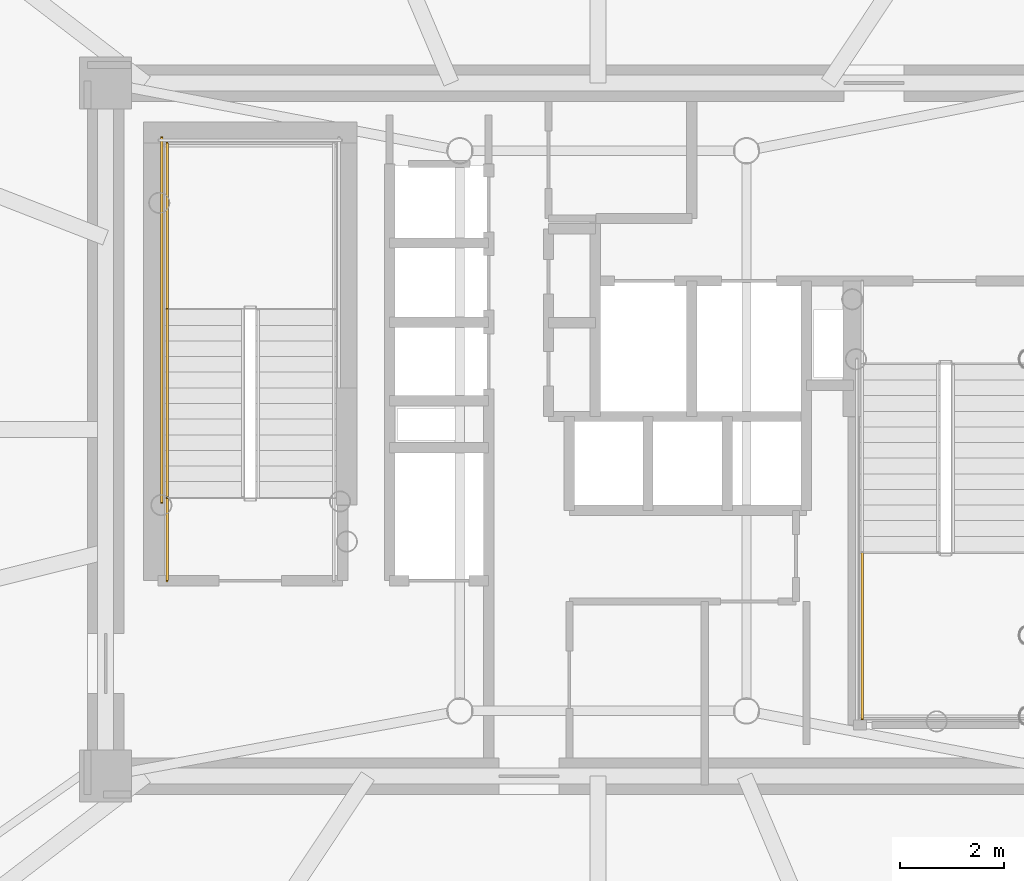
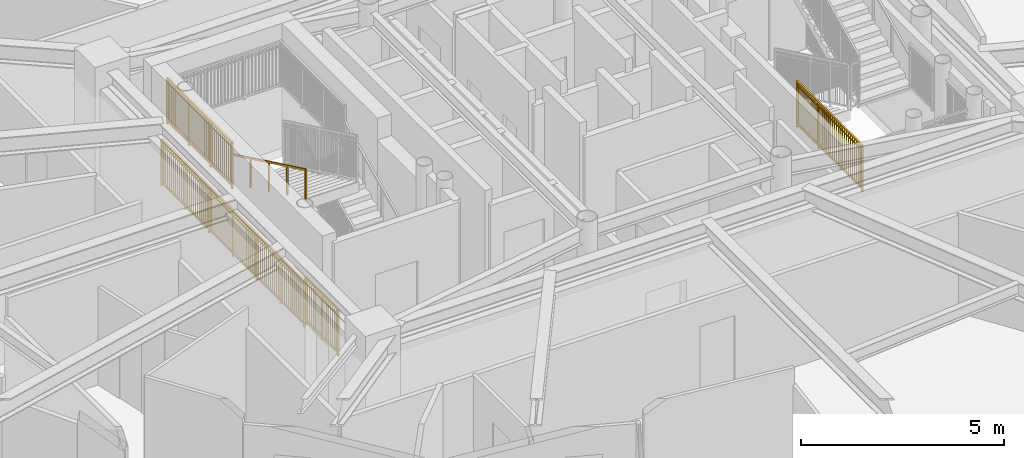
# One storey, part 13 of 18: 5 railings.
"""IFC4 building model written with IfcOpenShell, lengths in metres."""

from ifc_helpers import new_model, si_unit, direction, frame, origin, origin_2d, place, context, subcontext, project, spatial, rectangle, extrude, source, transform, mapped, material, type_object, element, save


model = new_model("IFC4")

# Units and contexts
model_context = context("Model", 3, precision=1e-05, world=origin(), true_north=direction((0.0, 1.0)))
body_context = subcontext(model_context, "Body", "Model", "MODEL_VIEW")
ifc_project = project(units=[si_unit("LENGTHUNIT", "METRE"), si_unit("AREAUNIT", "SQUARE_METRE"), si_unit("VOLUMEUNIT", "CUBIC_METRE"), si_unit("PLANEANGLEUNIT", "RADIAN"), si_unit("MASSUNIT", "GRAM", prefix="KILO")], contexts=[model_context])

# Site, building, storey
site_placement = place(None, origin())
site = spatial("IfcSite", under=ifc_project, at=site_placement, CompositionType="ELEMENT")
building_placement = place(site_placement, origin())
building = spatial("IfcBuilding", under=site, at=building_placement, Name="Linh Dai School and Residence Tower", CompositionType="ELEMENT")
storey_placement = place(building_placement, frame((0.0, 0.0, 244.050048828125)))
storey = spatial("IfcBuildingStorey", under=building, at=storey_placement, Name="L60", CompositionType="ELEMENT", Elevation=244.050048828125)

# Railings
ifc_material_1 = material(Name="Structural Steel S355JR", Category="steel")
railing_type_1 = type_object("IfcRailingType", Name="RL-ST-GUARD-1400", PredefinedType="GUARDRAIL", material=ifc_material_1)
shared_shape_1 = source(origin(), body_context, "Body", "SweptSolid", [
    extrude(rectangle(XDim=0.048095703125, YDim=0.048095703125, at=origin_2d()), frame((0.0, 0.0, 1.3759765625), z_axis=(0.0, 1.0, 0.0), x_axis=(-1.0, 0.0, 0.0)), (0.0, 0.0, 1.0), 1.599853515625),
    extrude(rectangle(XDim=0.048095703125, YDim=0.048095703125, at=origin_2d()), frame((0.0, 0.0, 0.10009765625), z_axis=(0.0, 1.0, 0.0), x_axis=(-1.0, 0.0, 0.0)), (0.0, 0.0, 1.0), 1.599853515625),
    extrude(rectangle(XDim=0.030029296875, YDim=0.030029296875, at=origin_2d()), frame((0.0, 0.0, 1.239990234375), z_axis=(0.0, 1.0, 0.0), x_axis=(-1.0, 0.0, 0.0)), (0.0, 0.0, 1.0), 1.599853515625),
    extrude(rectangle(XDim=0.02001953125, YDim=0.02001953125, at=origin_2d()), frame((0.0, 0.093994140625, 0.10009765625)), (0.0, 0.0, 1.0), 1.251708984375),
    extrude(rectangle(XDim=0.02001953125, YDim=0.02001953125, at=origin_2d()), frame((0.0, 0.188232421875, 0.10009765625)), (0.0, 0.0, 1.0), 1.251708984375),
    extrude(rectangle(XDim=0.02001953125, YDim=0.02001953125, at=origin_2d()), frame((0.0, 0.2822265625, 0.10009765625)), (0.0, 0.0, 1.0), 1.251708984375),
    extrude(rectangle(XDim=0.02001953125, YDim=0.02001953125, at=origin_2d()), frame((0.0, 0.37646484375, 0.10009765625)), (0.0, 0.0, 1.0), 1.251708984375),
    extrude(rectangle(XDim=0.02001953125, YDim=0.02001953125, at=origin_2d()), frame((0.0, 0.470458984375, 0.10009765625)), (0.0, 0.0, 1.0), 1.251708984375),
    extrude(rectangle(XDim=0.02001953125, YDim=0.02001953125, at=origin_2d()), frame((0.0, 0.564697265625, 0.10009765625)), (0.0, 0.0, 1.0), 1.251708984375),
    extrude(rectangle(XDim=0.02001953125, YDim=0.02001953125, at=origin_2d()), frame((0.0, 0.65869140625, 0.10009765625)), (0.0, 0.0, 1.0), 1.251708984375),
    extrude(rectangle(XDim=0.02001953125, YDim=0.02001953125, at=origin_2d()), frame((0.0, 0.7529296875, 0.10009765625)), (0.0, 0.0, 1.0), 1.251708984375),
    extrude(rectangle(XDim=0.02001953125, YDim=0.02001953125, at=origin_2d()), frame((0.0, 0.846923828125, 0.10009765625)), (0.0, 0.0, 1.0), 1.251708984375),
    extrude(rectangle(XDim=0.02001953125, YDim=0.02001953125, at=origin_2d()), frame((0.0, 0.941162109375, 0.10009765625)), (0.0, 0.0, 1.0), 1.251708984375),
    extrude(rectangle(XDim=0.02001953125, YDim=0.02001953125, at=origin_2d()), frame((0.0, 1.03515625, 0.10009765625)), (0.0, 0.0, 1.0), 1.251708984375),
    extrude(rectangle(XDim=0.02001953125, YDim=0.02001953125, at=origin_2d()), frame((0.0, 1.12939453125, 0.10009765625)), (0.0, 0.0, 1.0), 1.251708984375),
    extrude(rectangle(XDim=0.02001953125, YDim=0.02001953125, at=origin_2d()), frame((0.0, 1.223388671875, 0.10009765625)), (0.0, 0.0, 1.0), 1.251708984375),
    extrude(rectangle(XDim=0.02001953125, YDim=0.02001953125, at=origin_2d()), frame((0.0, 1.317626953125, 0.10009765625)), (0.0, 0.0, 1.0), 1.251708984375),
    extrude(rectangle(XDim=0.02001953125, YDim=0.02001953125, at=origin_2d()), frame((0.0, 1.41162109375, 0.10009765625)), (0.0, 0.0, 1.0), 1.251708984375),
    extrude(rectangle(XDim=0.02001953125, YDim=0.02001953125, at=origin_2d()), frame((0.0, 1.505859375, 0.10009765625)), (0.0, 0.0, 1.0), 1.251708984375),
    extrude(rectangle(XDim=0.0419921875, YDim=0.0419921875, at=origin_2d()), origin(), (0.0, 0.0, 1.0), 1.3759765625),
    extrude(rectangle(XDim=0.0419921875, YDim=0.0419921875, at=origin_2d()), frame((0.0, 0.7998046875, 0.0)), (0.0, 0.0, 1.0), 1.3759765625),
    extrude(rectangle(XDim=0.0419921875, YDim=0.0419921875, at=origin_2d()), frame((0.0, 1.599853515625, 0.0)), (0.0, 0.0, 1.0), 1.3759765625),
])
railing_1_placement = place(storey_placement, frame((27.72998046875, 24.10009765625, 0.0)))
element("IfcRailing", 1, at=railing_1_placement, inside=storey, type_object=railing_type_1, Name="L60 ST1 stair guard 9", PredefinedType="GUARDRAIL", context=body_context, shape_type="MappedRepresentation", body=[
    mapped(shared_shape_1, transform((0.0, 0.0, 0.0), x_axis=(1.0, 0.0, 0.0), y_axis=(0.0, 1.0, 0.0), z_axis=(0.0, 0.0, 1.0), scale=1.0)),
])
shared_shape_2 = source(origin(), body_context, "Body", "SweptSolid", [
    extrude(rectangle(XDim=0.048095703125, YDim=0.048095703125, at=origin_2d()), frame((0.0, 0.0, 1.3759765625), z_axis=(0.0, 1.0, 0.0), x_axis=(-1.0, 0.0, 0.0)), (0.0, 0.0, 1.0), 7.0),
    extrude(rectangle(XDim=0.048095703125, YDim=0.048095703125, at=origin_2d()), frame((0.0, 0.0, 0.10009765625), z_axis=(0.0, 1.0, 0.0), x_axis=(-1.0, 0.0, 0.0)), (0.0, 0.0, 1.0), 7.0),
    extrude(rectangle(XDim=0.030029296875, YDim=0.030029296875, at=origin_2d()), frame((0.0, 0.0, 1.239990234375), z_axis=(0.0, 1.0, 0.0), x_axis=(-1.0, 0.0, 0.0)), (0.0, 0.0, 1.0), 7.0),
    extrude(rectangle(XDim=0.02001953125, YDim=0.02001953125, at=origin_2d()), frame((0.0, 0.09716796875, 0.10009765625)), (0.0, 0.0, 1.0), 1.251708984375),
    extrude(rectangle(XDim=0.02001953125, YDim=0.02001953125, at=origin_2d()), frame((0.0, 0.1943359375, 0.10009765625)), (0.0, 0.0, 1.0), 1.251708984375),
    extrude(rectangle(XDim=0.02001953125, YDim=0.02001953125, at=origin_2d()), frame((0.0, 0.291748046875, 0.10009765625)), (0.0, 0.0, 1.0), 1.251708984375),
    extrude(rectangle(XDim=0.02001953125, YDim=0.02001953125, at=origin_2d()), frame((0.0, 0.388916015625, 0.10009765625)), (0.0, 0.0, 1.0), 1.251708984375),
    extrude(rectangle(XDim=0.02001953125, YDim=0.02001953125, at=origin_2d()), frame((0.0, 0.486083984375, 0.10009765625)), (0.0, 0.0, 1.0), 1.251708984375),
    extrude(rectangle(XDim=0.02001953125, YDim=0.02001953125, at=origin_2d()), frame((0.0, 0.583251953125, 0.10009765625)), (0.0, 0.0, 1.0), 1.251708984375),
    extrude(rectangle(XDim=0.02001953125, YDim=0.02001953125, at=origin_2d()), frame((0.0, 0.6806640625, 0.10009765625)), (0.0, 0.0, 1.0), 1.251708984375),
    extrude(rectangle(XDim=0.02001953125, YDim=0.02001953125, at=origin_2d()), frame((0.0, 0.77783203125, 0.10009765625)), (0.0, 0.0, 1.0), 1.251708984375),
    extrude(rectangle(XDim=0.02001953125, YDim=0.02001953125, at=origin_2d()), frame((0.0, 0.875, 0.10009765625)), (0.0, 0.0, 1.0), 1.251708984375),
    extrude(rectangle(XDim=0.02001953125, YDim=0.02001953125, at=origin_2d()), frame((0.0, 0.97216796875, 0.10009765625)), (0.0, 0.0, 1.0), 1.251708984375),
    extrude(rectangle(XDim=0.02001953125, YDim=0.02001953125, at=origin_2d()), frame((0.0, 1.0693359375, 0.10009765625)), (0.0, 0.0, 1.0), 1.251708984375),
    extrude(rectangle(XDim=0.02001953125, YDim=0.02001953125, at=origin_2d()), frame((0.0, 1.263916015625, 0.10009765625)), (0.0, 0.0, 1.0), 1.251708984375),
    extrude(rectangle(XDim=0.02001953125, YDim=0.02001953125, at=origin_2d()), frame((0.0, 1.361083984375, 0.10009765625)), (0.0, 0.0, 1.0), 1.251708984375),
    extrude(rectangle(XDim=0.02001953125, YDim=0.02001953125, at=origin_2d()), frame((0.0, 1.458251953125, 0.10009765625)), (0.0, 0.0, 1.0), 1.251708984375),
    extrude(rectangle(XDim=0.02001953125, YDim=0.02001953125, at=origin_2d()), frame((0.0, 1.5556640625, 0.10009765625)), (0.0, 0.0, 1.0), 1.251708984375),
    extrude(rectangle(XDim=0.02001953125, YDim=0.02001953125, at=origin_2d()), frame((0.0, 1.65283203125, 0.10009765625)), (0.0, 0.0, 1.0), 1.251708984375),
    extrude(rectangle(XDim=0.02001953125, YDim=0.02001953125, at=origin_2d()), frame((0.0, 1.75, 0.10009765625)), (0.0, 0.0, 1.0), 1.251708984375),
    extrude(rectangle(XDim=0.02001953125, YDim=0.02001953125, at=origin_2d()), frame((0.0, 1.84716796875, 0.10009765625)), (0.0, 0.0, 1.0), 1.251708984375),
    extrude(rectangle(XDim=0.02001953125, YDim=0.02001953125, at=origin_2d()), frame((0.0, 1.9443359375, 0.10009765625)), (0.0, 0.0, 1.0), 1.251708984375),
    extrude(rectangle(XDim=0.02001953125, YDim=0.02001953125, at=origin_2d()), frame((0.0, 2.041748046875, 0.10009765625)), (0.0, 0.0, 1.0), 1.251708984375),
    extrude(rectangle(XDim=0.02001953125, YDim=0.02001953125, at=origin_2d()), frame((0.0, 2.138916015625, 0.10009765625)), (0.0, 0.0, 1.0), 1.251708984375),
    extrude(rectangle(XDim=0.02001953125, YDim=0.02001953125, at=origin_2d()), frame((0.0, 2.236083984375, 0.10009765625)), (0.0, 0.0, 1.0), 1.251708984375),
    extrude(rectangle(XDim=0.02001953125, YDim=0.02001953125, at=origin_2d()), frame((0.0, 2.4306640625, 0.10009765625)), (0.0, 0.0, 1.0), 1.251708984375),
    extrude(rectangle(XDim=0.02001953125, YDim=0.02001953125, at=origin_2d()), frame((0.0, 2.52783203125, 0.10009765625)), (0.0, 0.0, 1.0), 1.251708984375),
    extrude(rectangle(XDim=0.02001953125, YDim=0.02001953125, at=origin_2d()), frame((0.0, 2.625, 0.10009765625)), (0.0, 0.0, 1.0), 1.251708984375),
    extrude(rectangle(XDim=0.02001953125, YDim=0.02001953125, at=origin_2d()), frame((0.0, 2.72216796875, 0.10009765625)), (0.0, 0.0, 1.0), 1.251708984375),
    extrude(rectangle(XDim=0.02001953125, YDim=0.02001953125, at=origin_2d()), frame((0.0, 2.8193359375, 0.10009765625)), (0.0, 0.0, 1.0), 1.251708984375),
    extrude(rectangle(XDim=0.02001953125, YDim=0.02001953125, at=origin_2d()), frame((0.0, 2.916748046875, 0.10009765625)), (0.0, 0.0, 1.0), 1.251708984375),
    extrude(rectangle(XDim=0.02001953125, YDim=0.02001953125, at=origin_2d()), frame((0.0, 3.013916015625, 0.10009765625)), (0.0, 0.0, 1.0), 1.251708984375),
    extrude(rectangle(XDim=0.02001953125, YDim=0.02001953125, at=origin_2d()), frame((0.0, 3.111083984375, 0.10009765625)), (0.0, 0.0, 1.0), 1.251708984375),
    extrude(rectangle(XDim=0.02001953125, YDim=0.02001953125, at=origin_2d()), frame((0.0, 3.208251953125, 0.10009765625)), (0.0, 0.0, 1.0), 1.251708984375),
    extrude(rectangle(XDim=0.02001953125, YDim=0.02001953125, at=origin_2d()), frame((0.0, 3.3056640625, 0.10009765625)), (0.0, 0.0, 1.0), 1.251708984375),
    extrude(rectangle(XDim=0.02001953125, YDim=0.02001953125, at=origin_2d()), frame((0.0, 3.40283203125, 0.10009765625)), (0.0, 0.0, 1.0), 1.251708984375),
    extrude(rectangle(XDim=0.02001953125, YDim=0.02001953125, at=origin_2d()), frame((0.0, 3.59716796875, 0.10009765625)), (0.0, 0.0, 1.0), 1.251708984375),
    extrude(rectangle(XDim=0.02001953125, YDim=0.02001953125, at=origin_2d()), frame((0.0, 3.6943359375, 0.10009765625)), (0.0, 0.0, 1.0), 1.251708984375),
    extrude(rectangle(XDim=0.02001953125, YDim=0.02001953125, at=origin_2d()), frame((0.0, 3.791748046875, 0.10009765625)), (0.0, 0.0, 1.0), 1.251708984375),
    extrude(rectangle(XDim=0.02001953125, YDim=0.02001953125, at=origin_2d()), frame((0.0, 3.888916015625, 0.10009765625)), (0.0, 0.0, 1.0), 1.251708984375),
    extrude(rectangle(XDim=0.02001953125, YDim=0.02001953125, at=origin_2d()), frame((0.0, 3.986083984375, 0.10009765625)), (0.0, 0.0, 1.0), 1.251708984375),
    extrude(rectangle(XDim=0.02001953125, YDim=0.02001953125, at=origin_2d()), frame((0.0, 4.083251953125, 0.10009765625)), (0.0, 0.0, 1.0), 1.251708984375),
    extrude(rectangle(XDim=0.02001953125, YDim=0.02001953125, at=origin_2d()), frame((0.0, 4.1806640625, 0.10009765625)), (0.0, 0.0, 1.0), 1.251708984375),
    extrude(rectangle(XDim=0.02001953125, YDim=0.02001953125, at=origin_2d()), frame((0.0, 4.27783203125, 0.10009765625)), (0.0, 0.0, 1.0), 1.251708984375),
    extrude(rectangle(XDim=0.02001953125, YDim=0.02001953125, at=origin_2d()), frame((0.0, 4.375, 0.10009765625)), (0.0, 0.0, 1.0), 1.251708984375),
    extrude(rectangle(XDim=0.02001953125, YDim=0.02001953125, at=origin_2d()), frame((0.0, 4.47216796875, 0.10009765625)), (0.0, 0.0, 1.0), 1.251708984375),
    extrude(rectangle(XDim=0.02001953125, YDim=0.02001953125, at=origin_2d()), frame((0.0, 4.5693359375, 0.10009765625)), (0.0, 0.0, 1.0), 1.251708984375),
    extrude(rectangle(XDim=0.02001953125, YDim=0.02001953125, at=origin_2d()), frame((0.0, 4.763916015625, 0.10009765625)), (0.0, 0.0, 1.0), 1.251708984375),
    extrude(rectangle(XDim=0.02001953125, YDim=0.02001953125, at=origin_2d()), frame((0.0, 4.861083984375, 0.10009765625)), (0.0, 0.0, 1.0), 1.251708984375),
    extrude(rectangle(XDim=0.02001953125, YDim=0.02001953125, at=origin_2d()), frame((0.0, 4.958251953125, 0.10009765625)), (0.0, 0.0, 1.0), 1.251708984375),
    extrude(rectangle(XDim=0.02001953125, YDim=0.02001953125, at=origin_2d()), frame((0.0, 5.0556640625, 0.10009765625)), (0.0, 0.0, 1.0), 1.251708984375),
    extrude(rectangle(XDim=0.02001953125, YDim=0.02001953125, at=origin_2d()), frame((0.0, 5.15283203125, 0.10009765625)), (0.0, 0.0, 1.0), 1.251708984375),
    extrude(rectangle(XDim=0.02001953125, YDim=0.02001953125, at=origin_2d()), frame((0.0, 5.25, 0.10009765625)), (0.0, 0.0, 1.0), 1.251708984375),
    extrude(rectangle(XDim=0.02001953125, YDim=0.02001953125, at=origin_2d()), frame((0.0, 5.34716796875, 0.10009765625)), (0.0, 0.0, 1.0), 1.251708984375),
    extrude(rectangle(XDim=0.02001953125, YDim=0.02001953125, at=origin_2d()), frame((0.0, 5.4443359375, 0.10009765625)), (0.0, 0.0, 1.0), 1.251708984375),
    extrude(rectangle(XDim=0.02001953125, YDim=0.02001953125, at=origin_2d()), frame((0.0, 5.541748046875, 0.10009765625)), (0.0, 0.0, 1.0), 1.251708984375),
    extrude(rectangle(XDim=0.02001953125, YDim=0.02001953125, at=origin_2d()), frame((0.0, 5.638916015625, 0.10009765625)), (0.0, 0.0, 1.0), 1.251708984375),
    extrude(rectangle(XDim=0.02001953125, YDim=0.02001953125, at=origin_2d()), frame((0.0, 5.736083984375, 0.10009765625)), (0.0, 0.0, 1.0), 1.251708984375),
    extrude(rectangle(XDim=0.02001953125, YDim=0.02001953125, at=origin_2d()), frame((0.0, 5.9306640625, 0.10009765625)), (0.0, 0.0, 1.0), 1.251708984375),
    extrude(rectangle(XDim=0.02001953125, YDim=0.02001953125, at=origin_2d()), frame((0.0, 6.02783203125, 0.10009765625)), (0.0, 0.0, 1.0), 1.251708984375),
    extrude(rectangle(XDim=0.02001953125, YDim=0.02001953125, at=origin_2d()), frame((0.0, 6.125, 0.10009765625)), (0.0, 0.0, 1.0), 1.251708984375),
    extrude(rectangle(XDim=0.02001953125, YDim=0.02001953125, at=origin_2d()), frame((0.0, 6.22216796875, 0.10009765625)), (0.0, 0.0, 1.0), 1.251708984375),
    extrude(rectangle(XDim=0.02001953125, YDim=0.02001953125, at=origin_2d()), frame((0.0, 6.3193359375, 0.10009765625)), (0.0, 0.0, 1.0), 1.251708984375),
    extrude(rectangle(XDim=0.02001953125, YDim=0.02001953125, at=origin_2d()), frame((0.0, 6.416748046875, 0.10009765625)), (0.0, 0.0, 1.0), 1.251708984375),
    extrude(rectangle(XDim=0.02001953125, YDim=0.02001953125, at=origin_2d()), frame((0.0, 6.513916015625, 0.10009765625)), (0.0, 0.0, 1.0), 1.251708984375),
    extrude(rectangle(XDim=0.02001953125, YDim=0.02001953125, at=origin_2d()), frame((0.0, 6.611083984375, 0.10009765625)), (0.0, 0.0, 1.0), 1.251708984375),
    extrude(rectangle(XDim=0.02001953125, YDim=0.02001953125, at=origin_2d()), frame((0.0, 6.708251953125, 0.10009765625)), (0.0, 0.0, 1.0), 1.251708984375),
    extrude(rectangle(XDim=0.02001953125, YDim=0.02001953125, at=origin_2d()), frame((0.0, 6.8056640625, 0.10009765625)), (0.0, 0.0, 1.0), 1.251708984375),
    extrude(rectangle(XDim=0.02001953125, YDim=0.02001953125, at=origin_2d()), frame((0.0, 6.90283203125, 0.10009765625)), (0.0, 0.0, 1.0), 1.251708984375),
    extrude(rectangle(XDim=0.0419921875, YDim=0.0419921875, at=origin_2d()), origin(), (0.0, 0.0, 1.0), 1.3759765625),
    extrude(rectangle(XDim=0.0419921875, YDim=0.0419921875, at=origin_2d()), frame((0.0, 1.166748046875, 0.0)), (0.0, 0.0, 1.0), 1.3759765625),
    extrude(rectangle(XDim=0.0419921875, YDim=0.0419921875, at=origin_2d()), frame((0.0, 2.333251953125, 0.0)), (0.0, 0.0, 1.0), 1.3759765625),
    extrude(rectangle(XDim=0.0419921875, YDim=0.0419921875, at=origin_2d()), frame((0.0, 3.5, 0.0)), (0.0, 0.0, 1.0), 1.3759765625),
    extrude(rectangle(XDim=0.0419921875, YDim=0.0419921875, at=origin_2d()), frame((0.0, 4.666748046875, 0.0)), (0.0, 0.0, 1.0), 1.3759765625),
    extrude(rectangle(XDim=0.0419921875, YDim=0.0419921875, at=origin_2d()), frame((0.0, 5.833251953125, 0.0)), (0.0, 0.0, 1.0), 1.3759765625),
    extrude(rectangle(XDim=0.0419921875, YDim=0.0419921875, at=origin_2d()), frame((0.0, 7.0, 0.0)), (0.0, 0.0, 1.0), 1.3759765625),
])
railing_2_placement = place(storey_placement, frame((27.6298828125, 25.60009765625, 0.0)))
element("IfcRailing", 2, at=railing_2_placement, inside=storey, type_object=railing_type_1, Name="L60 ST1 stair guard 11", PredefinedType="GUARDRAIL", context=body_context, shape_type="MappedRepresentation", body=[
    mapped(shared_shape_2, transform((0.0, 0.0, 0.0), x_axis=(1.0, 0.0, 0.0), y_axis=(0.0, 1.0, 0.0), z_axis=(0.0, 0.0, 1.0), scale=1.0)),
])
shared_shape_3 = source(origin(), body_context, "Body", "SweptSolid", [
    extrude(rectangle(XDim=0.048095703125, YDim=0.048095703125, at=origin_2d()), frame((0.0, 0.0, 1.3759765625), z_axis=(0.0, 1.0, 0.0), x_axis=(-1.0, 0.0, 0.0)), (0.0, 0.0, 1.0), 3.199951171875),
    extrude(rectangle(XDim=0.048095703125, YDim=0.048095703125, at=origin_2d()), frame((0.0, 0.0, 0.10009765625), z_axis=(0.0, 1.0, 0.0), x_axis=(-1.0, 0.0, 0.0)), (0.0, 0.0, 1.0), 3.199951171875),
    extrude(rectangle(XDim=0.030029296875, YDim=0.030029296875, at=origin_2d()), frame((0.0, 0.0, 1.239990234375), z_axis=(0.0, 1.0, 0.0), x_axis=(-1.0, 0.0, 0.0)), (0.0, 0.0, 1.0), 3.199951171875),
    extrude(rectangle(XDim=0.02001953125, YDim=0.02001953125, at=origin_2d()), frame((0.0, 0.096923828125, 0.10009765625)), (0.0, 0.0, 1.0), 1.251708984375),
    extrude(rectangle(XDim=0.02001953125, YDim=0.02001953125, at=origin_2d()), frame((0.0, 0.19384765625, 0.10009765625)), (0.0, 0.0, 1.0), 1.251708984375),
    extrude(rectangle(XDim=0.02001953125, YDim=0.02001953125, at=origin_2d()), frame((0.0, 0.291015625, 0.10009765625)), (0.0, 0.0, 1.0), 1.251708984375),
    extrude(rectangle(XDim=0.02001953125, YDim=0.02001953125, at=origin_2d()), frame((0.0, 0.387939453125, 0.10009765625)), (0.0, 0.0, 1.0), 1.251708984375),
    extrude(rectangle(XDim=0.02001953125, YDim=0.02001953125, at=origin_2d()), frame((0.0, 0.48486328125, 0.10009765625)), (0.0, 0.0, 1.0), 1.251708984375),
    extrude(rectangle(XDim=0.02001953125, YDim=0.02001953125, at=origin_2d()), frame((0.0, 0.581787109375, 0.10009765625)), (0.0, 0.0, 1.0), 1.251708984375),
    extrude(rectangle(XDim=0.02001953125, YDim=0.02001953125, at=origin_2d()), frame((0.0, 0.6787109375, 0.10009765625)), (0.0, 0.0, 1.0), 1.251708984375),
    extrude(rectangle(XDim=0.02001953125, YDim=0.02001953125, at=origin_2d()), frame((0.0, 0.775634765625, 0.10009765625)), (0.0, 0.0, 1.0), 1.251708984375),
    extrude(rectangle(XDim=0.02001953125, YDim=0.02001953125, at=origin_2d()), frame((0.0, 0.872802734375, 0.10009765625)), (0.0, 0.0, 1.0), 1.251708984375),
    extrude(rectangle(XDim=0.02001953125, YDim=0.02001953125, at=origin_2d()), frame((0.0, 0.9697265625, 0.10009765625)), (0.0, 0.0, 1.0), 1.251708984375),
    extrude(rectangle(XDim=0.02001953125, YDim=0.02001953125, at=origin_2d()), frame((0.0, 1.16357421875, 0.10009765625)), (0.0, 0.0, 1.0), 1.251708984375),
    extrude(rectangle(XDim=0.02001953125, YDim=0.02001953125, at=origin_2d()), frame((0.0, 1.260498046875, 0.10009765625)), (0.0, 0.0, 1.0), 1.251708984375),
    extrude(rectangle(XDim=0.02001953125, YDim=0.02001953125, at=origin_2d()), frame((0.0, 1.357666015625, 0.10009765625)), (0.0, 0.0, 1.0), 1.251708984375),
    extrude(rectangle(XDim=0.02001953125, YDim=0.02001953125, at=origin_2d()), frame((0.0, 1.45458984375, 0.10009765625)), (0.0, 0.0, 1.0), 1.251708984375),
    extrude(rectangle(XDim=0.02001953125, YDim=0.02001953125, at=origin_2d()), frame((0.0, 1.551513671875, 0.10009765625)), (0.0, 0.0, 1.0), 1.251708984375),
    extrude(rectangle(XDim=0.02001953125, YDim=0.02001953125, at=origin_2d()), frame((0.0, 1.6484375, 0.10009765625)), (0.0, 0.0, 1.0), 1.251708984375),
    extrude(rectangle(XDim=0.02001953125, YDim=0.02001953125, at=origin_2d()), frame((0.0, 1.745361328125, 0.10009765625)), (0.0, 0.0, 1.0), 1.251708984375),
    extrude(rectangle(XDim=0.02001953125, YDim=0.02001953125, at=origin_2d()), frame((0.0, 1.84228515625, 0.10009765625)), (0.0, 0.0, 1.0), 1.251708984375),
    extrude(rectangle(XDim=0.02001953125, YDim=0.02001953125, at=origin_2d()), frame((0.0, 1.939453125, 0.10009765625)), (0.0, 0.0, 1.0), 1.251708984375),
    extrude(rectangle(XDim=0.02001953125, YDim=0.02001953125, at=origin_2d()), frame((0.0, 2.036376953125, 0.10009765625)), (0.0, 0.0, 1.0), 1.251708984375),
    extrude(rectangle(XDim=0.02001953125, YDim=0.02001953125, at=origin_2d()), frame((0.0, 2.230224609375, 0.10009765625)), (0.0, 0.0, 1.0), 1.251708984375),
    extrude(rectangle(XDim=0.02001953125, YDim=0.02001953125, at=origin_2d()), frame((0.0, 2.3271484375, 0.10009765625)), (0.0, 0.0, 1.0), 1.251708984375),
    extrude(rectangle(XDim=0.02001953125, YDim=0.02001953125, at=origin_2d()), frame((0.0, 2.42431640625, 0.10009765625)), (0.0, 0.0, 1.0), 1.251708984375),
    extrude(rectangle(XDim=0.02001953125, YDim=0.02001953125, at=origin_2d()), frame((0.0, 2.521240234375, 0.10009765625)), (0.0, 0.0, 1.0), 1.251708984375),
    extrude(rectangle(XDim=0.02001953125, YDim=0.02001953125, at=origin_2d()), frame((0.0, 2.6181640625, 0.10009765625)), (0.0, 0.0, 1.0), 1.251708984375),
    extrude(rectangle(XDim=0.02001953125, YDim=0.02001953125, at=origin_2d()), frame((0.0, 2.715087890625, 0.10009765625)), (0.0, 0.0, 1.0), 1.251708984375),
    extrude(rectangle(XDim=0.02001953125, YDim=0.02001953125, at=origin_2d()), frame((0.0, 2.81201171875, 0.10009765625)), (0.0, 0.0, 1.0), 1.251708984375),
    extrude(rectangle(XDim=0.02001953125, YDim=0.02001953125, at=origin_2d()), frame((0.0, 2.908935546875, 0.10009765625)), (0.0, 0.0, 1.0), 1.251708984375),
    extrude(rectangle(XDim=0.02001953125, YDim=0.02001953125, at=origin_2d()), frame((0.0, 3.006103515625, 0.10009765625)), (0.0, 0.0, 1.0), 1.251708984375),
    extrude(rectangle(XDim=0.02001953125, YDim=0.02001953125, at=origin_2d()), frame((0.0, 3.10302734375, 0.10009765625)), (0.0, 0.0, 1.0), 1.251708984375),
    extrude(rectangle(XDim=0.0419921875, YDim=0.0419921875, at=origin_2d()), origin(), (0.0, 0.0, 1.0), 1.3759765625),
    extrude(rectangle(XDim=0.0419921875, YDim=0.0419921875, at=origin_2d()), frame((0.0, 1.066650390625, 0.0)), (0.0, 0.0, 1.0), 1.3759765625),
    extrude(rectangle(XDim=0.0419921875, YDim=0.0419921875, at=origin_2d()), frame((0.0, 2.13330078125, 0.0)), (0.0, 0.0, 1.0), 1.3759765625),
    extrude(rectangle(XDim=0.0419921875, YDim=0.0419921875, at=origin_2d()), frame((0.0, 3.199951171875, 0.0)), (0.0, 0.0, 1.0), 1.3759765625),
])
railing_3_placement = place(storey_placement, frame((27.72998046875, 29.300048828125, 1.875)))
element("IfcRailing", 3, at=railing_3_placement, inside=storey, type_object=railing_type_1, Name="L60 ST1 stair guard 4", PredefinedType="GUARDRAIL", context=body_context, shape_type="MappedRepresentation", body=[
    mapped(shared_shape_3, transform((0.0, 0.0, 0.0), x_axis=(1.0, 0.0, 0.0), y_axis=(0.0, 1.0, 0.0), z_axis=(0.0, 0.0, 1.0), scale=1.0)),
])
ifc_material_2 = material(Name="Brushed Stainless Steel Handrail", Category="steel")
railing_type_2 = type_object("IfcRailingType", Name="RL-ST-HANDRAIL-900", PredefinedType="HANDRAIL", material=ifc_material_2)
shared_shape_4 = source(origin(), body_context, "Body", "SweptSolid", [
    extrude(rectangle(XDim=0.048095703125, YDim=0.048095703125, at=origin_2d()), frame((0.0, 0.0, 0.8759765625), z_axis=(0.0, -0.901262522062, 0.433273431364), x_axis=(1.0, 0.0, 0.0)), (0.0, 0.0, 1.0), 3.994384765625),
    extrude(rectangle(XDim=0.0419921875, YDim=0.0419921875, at=origin_2d()), origin(), (0.0, 0.0, 1.0), 0.8759765625),
    extrude(rectangle(XDim=0.0419921875, YDim=0.0419921875, at=origin_2d()), frame((0.0, -0.89990234375, 0.4326171875)), (0.0, 0.0, 1.0), 0.8759765625),
    extrude(rectangle(XDim=0.0419921875, YDim=0.0419921875, at=origin_2d()), frame((0.0, -1.800048828125, 0.865234375)), (0.0, 0.0, 1.0), 0.8759765625),
    extrude(rectangle(XDim=0.0419921875, YDim=0.0419921875, at=origin_2d()), frame((0.0, -2.7001953125, 1.298095703125)), (0.0, 0.0, 1.0), 0.8759765625),
    extrude(rectangle(XDim=0.0419921875, YDim=0.0419921875, at=origin_2d()), frame((0.0, -3.60009765625, 1.730712890625)), (0.0, 0.0, 1.0), 0.8759765625),
])
railing_4_placement = place(storey_placement, frame((27.72998046875, 29.300048828125, 2.019287109375)))
element("IfcRailing", 4, at=railing_4_placement, inside=storey, type_object=railing_type_2, Name="L60 ST1 stair handrail 2", PredefinedType="HANDRAIL", context=body_context, shape_type="MappedRepresentation", body=[
    mapped(shared_shape_4, transform((0.0, 0.0, 0.0), x_axis=(1.0, 0.0, 0.0), y_axis=(0.0, 1.0, 0.0), z_axis=(0.0, 0.0, 1.0), scale=1.0)),
])
shared_shape_5 = source(origin(), body_context, "Body", "SweptSolid", [
    extrude(rectangle(XDim=0.048095703125, YDim=0.048095703125, at=origin_2d()), frame((0.0, 0.0, 1.3759765625), z_axis=(0.0, -1.0, 0.0), x_axis=(1.0, 0.0, 0.0)), (0.0, 0.0, 1.0), 3.199951171875),
    extrude(rectangle(XDim=0.048095703125, YDim=0.048095703125, at=origin_2d()), frame((0.0, 0.0, 0.10009765625), z_axis=(0.0, -1.0, 0.0), x_axis=(1.0, 0.0, 0.0)), (0.0, 0.0, 1.0), 3.199951171875),
    extrude(rectangle(XDim=0.030029296875, YDim=0.030029296875, at=origin_2d()), frame((0.0, 0.0, 1.239990234375), z_axis=(0.0, -1.0, 0.0), x_axis=(1.0, 0.0, 0.0)), (0.0, 0.0, 1.0), 3.199951171875),
    extrude(rectangle(XDim=0.02001953125, YDim=0.02001953125, at=origin_2d()), frame((0.0, -0.096923828125, 0.10009765625)), (0.0, 0.0, 1.0), 1.251708984375),
    extrude(rectangle(XDim=0.02001953125, YDim=0.02001953125, at=origin_2d()), frame((0.0, -0.19384765625, 0.10009765625)), (0.0, 0.0, 1.0), 1.251708984375),
    extrude(rectangle(XDim=0.02001953125, YDim=0.02001953125, at=origin_2d()), frame((0.0, -0.291015625, 0.10009765625)), (0.0, 0.0, 1.0), 1.251708984375),
    extrude(rectangle(XDim=0.02001953125, YDim=0.02001953125, at=origin_2d()), frame((0.0, -0.387939453125, 0.10009765625)), (0.0, 0.0, 1.0), 1.251708984375),
    extrude(rectangle(XDim=0.02001953125, YDim=0.02001953125, at=origin_2d()), frame((0.0, -0.48486328125, 0.10009765625)), (0.0, 0.0, 1.0), 1.251708984375),
    extrude(rectangle(XDim=0.02001953125, YDim=0.02001953125, at=origin_2d()), frame((0.0, -0.581787109375, 0.10009765625)), (0.0, 0.0, 1.0), 1.251708984375),
    extrude(rectangle(XDim=0.02001953125, YDim=0.02001953125, at=origin_2d()), frame((0.0, -0.6787109375, 0.10009765625)), (0.0, 0.0, 1.0), 1.251708984375),
    extrude(rectangle(XDim=0.02001953125, YDim=0.02001953125, at=origin_2d()), frame((0.0, -0.775634765625, 0.10009765625)), (0.0, 0.0, 1.0), 1.251708984375),
    extrude(rectangle(XDim=0.02001953125, YDim=0.02001953125, at=origin_2d()), frame((0.0, -0.872802734375, 0.10009765625)), (0.0, 0.0, 1.0), 1.251708984375),
    extrude(rectangle(XDim=0.02001953125, YDim=0.02001953125, at=origin_2d()), frame((0.0, -0.9697265625, 0.10009765625)), (0.0, 0.0, 1.0), 1.251708984375),
    extrude(rectangle(XDim=0.02001953125, YDim=0.02001953125, at=origin_2d()), frame((0.0, -1.16357421875, 0.10009765625)), (0.0, 0.0, 1.0), 1.251708984375),
    extrude(rectangle(XDim=0.02001953125, YDim=0.02001953125, at=origin_2d()), frame((0.0, -1.260498046875, 0.10009765625)), (0.0, 0.0, 1.0), 1.251708984375),
    extrude(rectangle(XDim=0.02001953125, YDim=0.02001953125, at=origin_2d()), frame((0.0, -1.357666015625, 0.10009765625)), (0.0, 0.0, 1.0), 1.251708984375),
    extrude(rectangle(XDim=0.02001953125, YDim=0.02001953125, at=origin_2d()), frame((0.0, -1.45458984375, 0.10009765625)), (0.0, 0.0, 1.0), 1.251708984375),
    extrude(rectangle(XDim=0.02001953125, YDim=0.02001953125, at=origin_2d()), frame((0.0, -1.551513671875, 0.10009765625)), (0.0, 0.0, 1.0), 1.251708984375),
    extrude(rectangle(XDim=0.02001953125, YDim=0.02001953125, at=origin_2d()), frame((0.0, -1.6484375, 0.10009765625)), (0.0, 0.0, 1.0), 1.251708984375),
    extrude(rectangle(XDim=0.02001953125, YDim=0.02001953125, at=origin_2d()), frame((0.0, -1.745361328125, 0.10009765625)), (0.0, 0.0, 1.0), 1.251708984375),
    extrude(rectangle(XDim=0.02001953125, YDim=0.02001953125, at=origin_2d()), frame((0.0, -1.84228515625, 0.10009765625)), (0.0, 0.0, 1.0), 1.251708984375),
    extrude(rectangle(XDim=0.02001953125, YDim=0.02001953125, at=origin_2d()), frame((0.0, -1.939453125, 0.10009765625)), (0.0, 0.0, 1.0), 1.251708984375),
    extrude(rectangle(XDim=0.02001953125, YDim=0.02001953125, at=origin_2d()), frame((0.0, -2.036376953125, 0.10009765625)), (0.0, 0.0, 1.0), 1.251708984375),
    extrude(rectangle(XDim=0.02001953125, YDim=0.02001953125, at=origin_2d()), frame((0.0, -2.230224609375, 0.10009765625)), (0.0, 0.0, 1.0), 1.251708984375),
    extrude(rectangle(XDim=0.02001953125, YDim=0.02001953125, at=origin_2d()), frame((0.0, -2.3271484375, 0.10009765625)), (0.0, 0.0, 1.0), 1.251708984375),
    extrude(rectangle(XDim=0.02001953125, YDim=0.02001953125, at=origin_2d()), frame((0.0, -2.42431640625, 0.10009765625)), (0.0, 0.0, 1.0), 1.251708984375),
    extrude(rectangle(XDim=0.02001953125, YDim=0.02001953125, at=origin_2d()), frame((0.0, -2.521240234375, 0.10009765625)), (0.0, 0.0, 1.0), 1.251708984375),
    extrude(rectangle(XDim=0.02001953125, YDim=0.02001953125, at=origin_2d()), frame((0.0, -2.6181640625, 0.10009765625)), (0.0, 0.0, 1.0), 1.251708984375),
    extrude(rectangle(XDim=0.02001953125, YDim=0.02001953125, at=origin_2d()), frame((0.0, -2.715087890625, 0.10009765625)), (0.0, 0.0, 1.0), 1.251708984375),
    extrude(rectangle(XDim=0.02001953125, YDim=0.02001953125, at=origin_2d()), frame((0.0, -2.81201171875, 0.10009765625)), (0.0, 0.0, 1.0), 1.251708984375),
    extrude(rectangle(XDim=0.02001953125, YDim=0.02001953125, at=origin_2d()), frame((0.0, -2.908935546875, 0.10009765625)), (0.0, 0.0, 1.0), 1.251708984375),
    extrude(rectangle(XDim=0.02001953125, YDim=0.02001953125, at=origin_2d()), frame((0.0, -3.006103515625, 0.10009765625)), (0.0, 0.0, 1.0), 1.251708984375),
    extrude(rectangle(XDim=0.02001953125, YDim=0.02001953125, at=origin_2d()), frame((0.0, -3.10302734375, 0.10009765625)), (0.0, 0.0, 1.0), 1.251708984375),
    extrude(rectangle(XDim=0.0419921875, YDim=0.0419921875, at=origin_2d()), origin(), (0.0, 0.0, 1.0), 1.3759765625),
    extrude(rectangle(XDim=0.0419921875, YDim=0.0419921875, at=origin_2d()), frame((0.0, -1.066650390625, 0.0)), (0.0, 0.0, 1.0), 1.3759765625),
    extrude(rectangle(XDim=0.0419921875, YDim=0.0419921875, at=origin_2d()), frame((0.0, -2.13330078125, 0.0)), (0.0, 0.0, 1.0), 1.3759765625),
    extrude(rectangle(XDim=0.0419921875, YDim=0.0419921875, at=origin_2d()), frame((0.0, -3.199951171875, 0.0)), (0.0, 0.0, 1.0), 1.3759765625),
])
railing_5_placement = place(storey_placement, frame((41.070068359375, 24.64990234375, 1.875)))
element("IfcRailing", 5, at=railing_5_placement, inside=storey, type_object=railing_type_1, Name="L60 ST2 stair guard 3", PredefinedType="GUARDRAIL", context=body_context, shape_type="MappedRepresentation", body=[
    mapped(shared_shape_5, transform((0.0, 0.0, 0.0), x_axis=(1.0, 0.0, 0.0), y_axis=(0.0, 1.0, 0.0), z_axis=(0.0, 0.0, 1.0), scale=1.0)),
])

save(model, "model.ifc")
